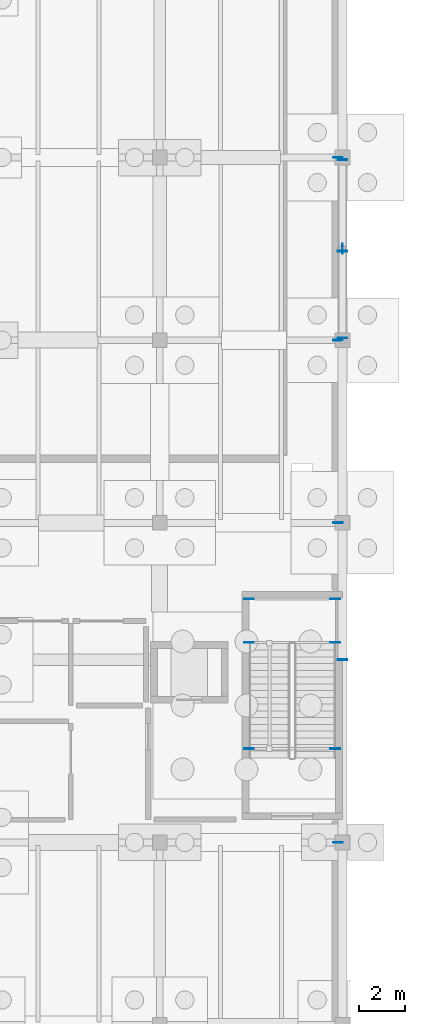
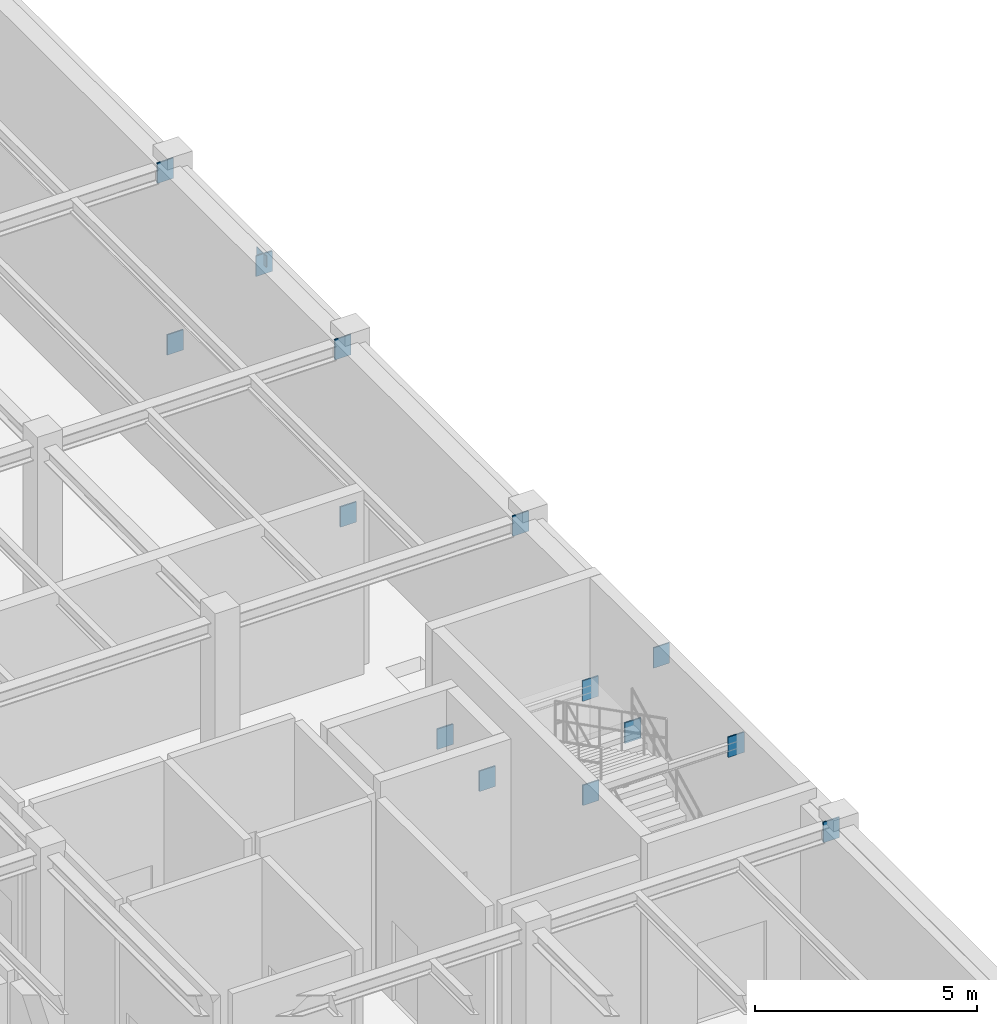
# One storey, part 48 of 71: 15 plates.
"""IFC4 building model written with IfcOpenShell, lengths in metres."""

from ifc_helpers import new_model, si_unit, direction, frame, origin, origin_2d, place, context, subcontext, project, spatial, rectangle, extrude, material, layer, layer_set, type_object, element, save


model = new_model("IFC4")

# Units and contexts
model_context = context("Model", 3, precision=1e-05, world=origin(), true_north=direction((0.0, 1.0)))
body_context = subcontext(model_context, "Body", "Model", "MODEL_VIEW")
ifc_project = project(units=[si_unit("LENGTHUNIT", "METRE"), si_unit("AREAUNIT", "SQUARE_METRE"), si_unit("VOLUMEUNIT", "CUBIC_METRE"), si_unit("PLANEANGLEUNIT", "RADIAN"), si_unit("MASSUNIT", "GRAM", prefix="KILO")], contexts=[model_context])

# Site, building, storey
site_placement = place(None, origin())
site = spatial("IfcSite", under=ifc_project, at=site_placement, CompositionType="ELEMENT")
building_placement = place(site_placement, origin())
building = spatial("IfcBuilding", under=site, at=building_placement, Name="Sundkrona Museum", CompositionType="ELEMENT")
storey_placement = place(building_placement, frame((0.0, 0.0, -5.39990234375)))
storey = spatial("IfcBuildingStorey", under=building, at=storey_placement, Name="B1", CompositionType="ELEMENT", Elevation=-5.39990234375)

# Plates
ifc_material = material(Name="Steel S355J2", Category="steel")
ifc_layer_1 = layer(ifc_material, 0.034912109375)
ifc_layer_set_1 = layer_set([ifc_layer_1], Name="Steel S355J2")
plate_type_1 = type_object("IfcPlateType", Name="EP-1", PredefinedType="USERDEFINED", material=ifc_layer_set_1)
for number, where, z_axis, x_axis, name in (
    (1, (168.0, 40.0, 4.514892578125), (0.0, 0.0, 1.0), (1.0, 0.0, 0.0), "Core Wall Cast-In Embed Plate BM-B1-Y-0412-2"),
    (2, (163.909912109375, 40.754638671875, 2.099853515625), (0.0, 0.0, 1.0), (1.0, 0.0, 0.0), "Core Wall Cast-In Embed Plate BM-STLD-ST-1-B1-1A-1"),
    (3, (167.68994140625, 40.754638671875, 2.099853515625), (0.0, 0.0, 1.0), (1.0, 0.0, 0.0), "Core Wall Cast-In Embed Plate BM-STLD-ST-1-B1-1A-2"),
    (4, (163.909912109375, 42.660400390625, 2.099853515625), (0.0, 0.0, 1.0), (1.0, 0.0, 0.0), "Core Wall Cast-In Embed Plate BM-STLD-ST-1-B1-1B-1"),
    (5, (167.68994140625, 42.660400390625, 2.099853515625), (0.0, 0.0, 1.0), (1.0, 0.0, 0.0), "Core Wall Cast-In Embed Plate BM-STLD-ST-1-B1-1B-2"),
    (6, (163.909912109375, 36.10009765625, 4.5341796875), (0.0, 0.0, 1.0), (1.0, 0.0, 0.0), "Core Wall Cast-In Embed Plate BM-STHD-ST-1-B1-2-1"),
    (7, (167.68994140625, 36.10009765625, 4.5341796875), (0.0, 0.0, 1.0), (1.0, 0.0, 0.0), "Core Wall Cast-In Embed Plate BM-STHD-ST-1-B1-2-2"),
    (8, (167.800048828125, 32.0, 4.639892578125), (0.0, 0.0, 1.0), (1.0, 0.0, 0.0), "Structural Wall Cast-In Embed Plate BM-B1-X-0048-2"),
    (9, (167.800048828125, 46.0, 4.56982421875), (0.0, 0.0, 1.0), (1.0, 0.0, 0.0), "Structural Wall Cast-In Embed Plate BM-B1-X-0070-2"),
    (10, (167.800048828125, 54.0, 4.56982421875), (0.0, 0.0, 1.0), (1.0, 0.0, 0.0), "Structural Wall Cast-In Embed Plate BM-B1-X-0079-2"),
    (11, (167.800048828125, 62.0, 4.56982421875), (0.0, 0.0, 1.0), (1.0, 0.0, 0.0), "Structural Wall Cast-In Embed Plate BM-B1-X-0088-2"),
    (12, (168.0, 54.10009765625, -0.159423828125), (0.0, 0.0, 1.0), (1.0, 0.0, 0.0), "Structural Wall Cast-In Embed Plate BR-B1-025A-1"),
    (13, (168.0, 57.89990234375, 4.42919921875), (0.0, 0.0, 1.0), (1.0, 0.0, 0.0), "Structural Wall Cast-In Embed Plate BR-B1-025A-2"),
    (14, (168.0, 61.89990234375, -0.159423828125), (0.0, 0.0, 1.0), (1.0, 0.0, 0.0), "Structural Wall Cast-In Embed Plate BR-B1-025B-1"),
):
    element("IfcPlate", number, at=place(storey_placement, frame(where, z_axis=z_axis, x_axis=x_axis)), inside=storey, type_object=plate_type_1, Name=name, ObjectType="GUSSET PLATE", PredefinedType="USERDEFINED", context=body_context, shape_type="SweptSolid", body=[
        extrude(rectangle(XDim=0.419921875, YDim=0.034912109375, at=origin_2d()), origin(), (0.0, 0.0, 1.0), 0.56005859375),
    ])
ifc_layer_2 = layer(ifc_material, 0.02197265625)
ifc_layer_set_2 = layer_set([ifc_layer_2], Name="Steel S355J2")
plate_type_2 = type_object("IfcPlateType", Name="GP-5", PredefinedType="USERDEFINED", material=ifc_layer_set_2)
plate_placement = place(storey_placement, frame((168.0, 58.0, 4.6748046875), z_axis=(0.0, 0.0, 1.0), x_axis=(0.0, 1.0, 0.0)))
element("IfcPlate", 15, at=plate_placement, inside=storey, type_object=plate_type_2, Name="B1 Chevron Apex Gusset Plate 025", ObjectType="GUSSET PLATE", PredefinedType="USERDEFINED", context=body_context, shape_type="SweptSolid", body=[
    extrude(rectangle(XDim=0.43994140625, YDim=0.02197265625, at=origin_2d()), origin(), (0.0, 0.0, 1.0), 0.31005859375),
])

save(model, "model.ifc")
